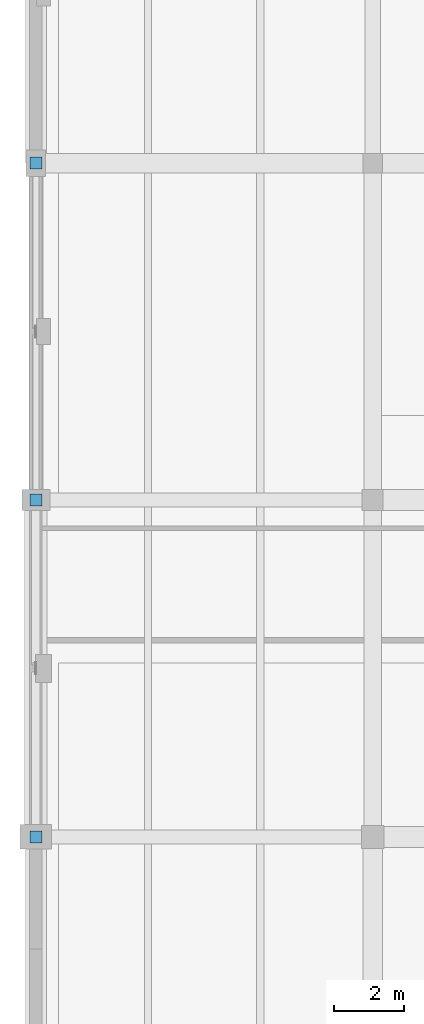
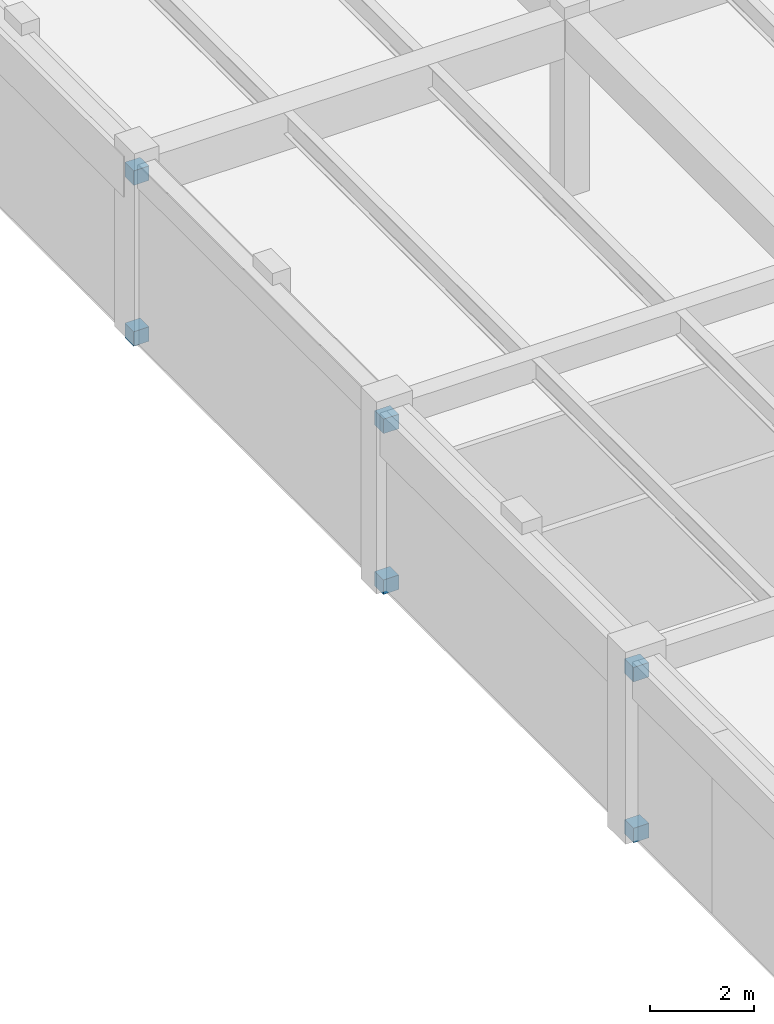
# One storey, part 97 of 109: 6 discrete accessories.
"""IFC4 building model written with IfcOpenShell, lengths in metres."""

from ifc_helpers import new_model, si_unit, direction, frame, origin, origin_2d, place, context, subcontext, project, spatial, rectangle, extrude, material, type_object, element, save


model = new_model("IFC4")

# Units and contexts
model_context = context("Model", 3, precision=1e-05, world=origin(), true_north=direction((0.0, 1.0)))
body_context = subcontext(model_context, "Body", "Model", "MODEL_VIEW")
ifc_project = project(units=[si_unit("LENGTHUNIT", "METRE"), si_unit("AREAUNIT", "SQUARE_METRE"), si_unit("VOLUMEUNIT", "CUBIC_METRE"), si_unit("PLANEANGLEUNIT", "RADIAN"), si_unit("MASSUNIT", "GRAM", prefix="KILO")], contexts=[model_context])

# Site, building, storey
site_placement = place(None, origin())
site = spatial("IfcSite", under=ifc_project, at=site_placement, CompositionType="ELEMENT")
building_placement = place(site_placement, origin())
building = spatial("IfcBuilding", under=site, at=building_placement, Name="Fikremerkos Civic Library", CompositionType="ELEMENT")
storey_placement = place(building_placement, frame((0.0, 0.0, 5.39990234375)))
storey = spatial("IfcBuildingStorey", under=building, at=storey_placement, Name="L01", CompositionType="ELEMENT", Elevation=5.39990234375)

# Discrete accessories
ifc_material = material(Name="Steel S355", Category="steel")
discrete_accessory_type = type_object("IfcDiscreteAccessoryType", Name="Steel brace end connection bracket BRK-S1", PredefinedType="BRACKET", material=ifc_material)
for number, where, z_axis, x_axis, name in (
    (1, (0.0, 12.0, -0.169921875), (0.0, 0.0, 1.0), (1.0, 0.0, 0.0), "Steel S355 brace end connection bracket #35"),
    (2, (0.0, 21.60009765625, 3.60009765625), (0.0, 0.0, 1.0), (1.0, 0.0, 0.0), "Steel S355 brace end connection bracket #36"),
    (3, (0.0, 21.60009765625, -0.169921875), (0.0, 0.0, 1.0), (1.0, 0.0, 0.0), "Steel S355 brace end connection bracket #37"),
    (4, (0.0, 12.0, 3.60009765625), (0.0, 0.0, 1.0), (1.0, 0.0, 0.0), "Steel S355 brace end connection bracket #38"),
    (5, (0.0, 31.199951171875, 3.60009765625), (0.0, 0.0, 1.0), (1.0, 0.0, 0.0), "Steel S355 brace end connection bracket #39"),
    (6, (0.0, 31.199951171875, -0.169921875), (0.0, 0.0, 1.0), (1.0, 0.0, 0.0), "Steel S355 brace end connection bracket #40"),
):
    element("IfcDiscreteAccessory", number, at=place(storey_placement, frame(where, z_axis=z_axis, x_axis=x_axis)), inside=storey, type_object=discrete_accessory_type, Name=name, PredefinedType="BRACKET", context=body_context, shape_type="SweptSolid", body=[
        extrude(rectangle(XDim=0.340087890625, YDim=0.340087890625, at=origin_2d()), origin(), (0.0, 0.0, 1.0), 0.340087890625),
    ])

save(model, "model.ifc")
